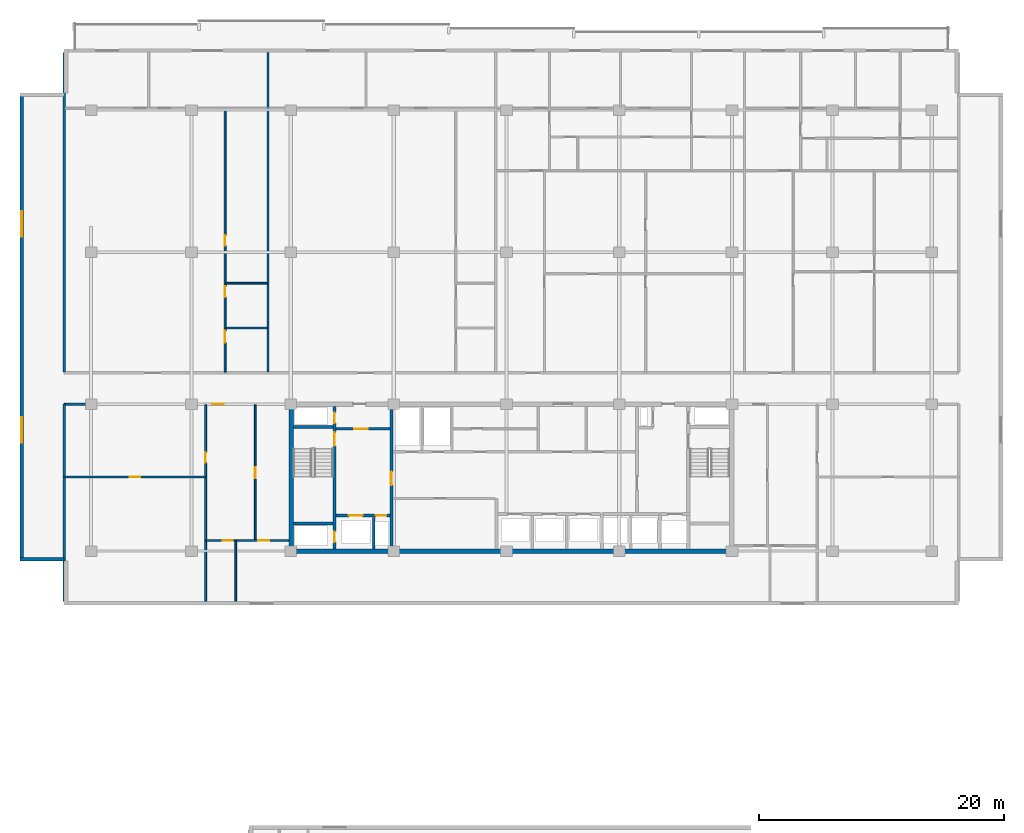
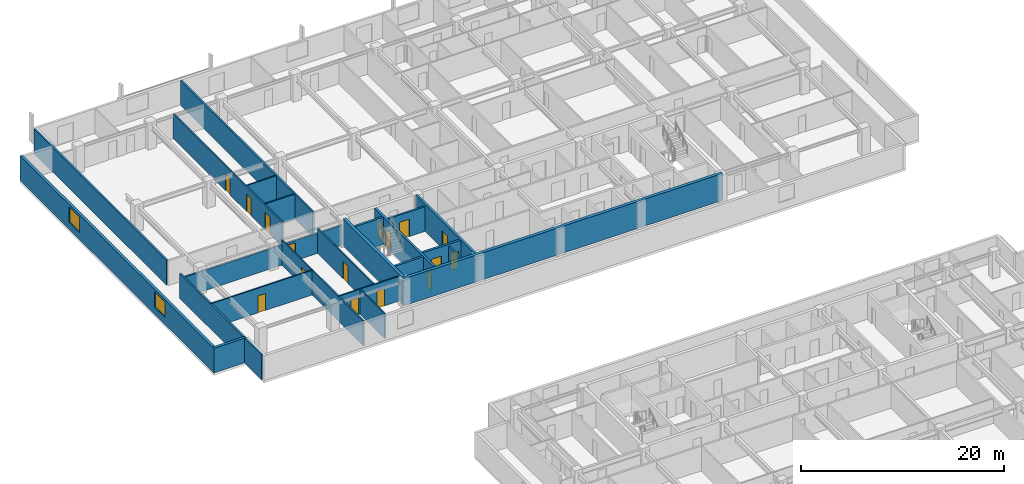
# One storey, part 11 of 22: 23 walls, 16 doors, 2 windows, 18 openings.
"""IFC4 building model written with IfcOpenShell, lengths in metres."""

from ifc_helpers import new_model, si_unit, direction, frame, frame_2d, origin, place, context, subcontext, project, spatial, rectangle, extrude, material, layer, layer_set, type_object, element, fill, save


model = new_model("IFC4")

# Units and contexts
model_context = context("Model", 3, precision=1e-05, world=origin(), true_north=direction((0.0, 1.0)))
body_context = subcontext(model_context, "Body", "Model", "MODEL_VIEW")
ifc_project = project(units=[si_unit("LENGTHUNIT", "METRE"), si_unit("AREAUNIT", "SQUARE_METRE"), si_unit("VOLUMEUNIT", "CUBIC_METRE"), si_unit("PLANEANGLEUNIT", "RADIAN"), si_unit("MASSUNIT", "GRAM", prefix="KILO")], contexts=[model_context])

# Site, building, storey
site_placement = place(None, origin())
site = spatial("IfcSite", under=ifc_project, at=site_placement, CompositionType="ELEMENT")
building_placement = place(site_placement, origin())
building = spatial("IfcBuilding", under=site, at=building_placement, Name="Korimba Cascade Residences", CompositionType="ELEMENT")
storey_placement = place(building_placement, frame((0.0, 0.0, 132.800048828125)))
storey = spatial("IfcBuildingStorey", under=building, at=storey_placement, Name="L38", CompositionType="ELEMENT", Elevation=132.800048828125)

# Wall, openings, windows
ifc_material_1 = material(Name="Precast concrete C40/50", Category="concrete")
ifc_layer_1 = layer(ifc_material_1, 0.300048828125)
ifc_layer_set_1 = layer_set([ifc_layer_1], Name="Precast concrete C40/50")
wall_type_1 = type_object("IfcWallType", Name="EW-STONE-300", PredefinedType="STANDARD", material=ifc_layer_set_1)
wall_1_placement = place(storey_placement, frame((54.14990234375, 92.60009765625, 0.0), z_axis=(0.0, 0.0, 1.0), x_axis=(0.0, -1.0, 0.0)))
wall_1 = element("IfcWall", 1, at=wall_1_placement, inside=storey, type_object=wall_type_1, Name="L38 T1 Perimeter Stone Wall E09", PredefinedType="STANDARD", context=body_context, shape_type="SweptSolid", body=[
    extrude(rectangle(XDim=38.2001953125, YDim=0.300048828125, at=frame_2d((19.10009765625, 0.0))), origin(), (0.0, 0.0, 1.0), 2.969970703125),
])
opening_1_placement = place(wall_1_placement, frame((9.64599609375, 0.0, 0.85009765625)))
opening_1 = element("IfcOpeningElement", 2, at=opening_1_placement, cuts=wall_1, Name="Opening W-03", PredefinedType="OPENING", context=body_context, shape_type="SweptSolid", body=[
    extrude(rectangle(XDim=2.10009765625, YDim=1.85009765625, at=frame_2d((1.050048828125, 0.925048828125))), frame((0.0, 0.16015625, 0.0), z_axis=(0.0, -1.0, 0.0), x_axis=(1.0, 0.0, 0.0)), (0.0, 0.0, 1.0), 0.320068359375),
])
opening_2_placement = place(wall_1_placement, frame((26.4541015625, 0.0, 0.85009765625)))
opening_2 = element("IfcOpeningElement", 3, at=opening_2_placement, cuts=wall_1, Name="Opening W-03", PredefinedType="OPENING", context=body_context, shape_type="SweptSolid", body=[
    extrude(rectangle(XDim=2.10009765625, YDim=1.85009765625, at=frame_2d((1.050048828125, 0.925048828125))), frame((0.0, 0.16015625, 0.0), z_axis=(0.0, -1.0, 0.0), x_axis=(1.0, 0.0, 0.0)), (0.0, 0.0, 1.0), 0.320068359375),
])
ifc_material_2 = material(Name="Double-Glazed Aluminium Window", Category="aluminium")
window_type = type_object("IfcWindowType", Name="WIN-CRN-2100", PartitioningType="DOUBLE_PANEL_HORIZONTAL", PredefinedType="WINDOW", material=ifc_material_2)
window_1_placement = place(opening_1_placement, origin())
window_1 = element("IfcWindow", 4, at=window_1_placement, inside=storey, type_object=window_type, Name="L38 T1 End View Window 9.1", OverallHeight=1.85009765625, OverallWidth=2.10009765625, PartitioningType="DOUBLE_PANEL_HORIZONTAL", PredefinedType="WINDOW", context=body_context, shape_type="SweptSolid", body=[
    extrude(rectangle(XDim=2.10009765625, YDim=1.85009765625, at=frame_2d((1.050048828125, 0.925048828125))), frame((0.0, 0.030029296875, 0.0), z_axis=(0.0, -1.0, 0.0), x_axis=(1.0, 0.0, 0.0)), (0.0, 0.0, 1.0), 0.06005859375),
])
fill(opening_1, window_1)
window_2_placement = place(opening_2_placement, origin())
window_2 = element("IfcWindow", 5, at=window_2_placement, inside=storey, type_object=window_type, Name="L38 T1 End View Window 9.2", OverallHeight=1.85009765625, OverallWidth=2.10009765625, PartitioningType="DOUBLE_PANEL_HORIZONTAL", PredefinedType="WINDOW", context=body_context, shape_type="SweptSolid", body=[
    extrude(rectangle(XDim=2.10009765625, YDim=1.85009765625, at=frame_2d((1.050048828125, 0.925048828125))), frame((0.0, 0.030029296875, 0.0), z_axis=(0.0, -1.0, 0.0), x_axis=(1.0, 0.0, 0.0)), (0.0, 0.0, 1.0), 0.06005859375),
])
fill(opening_2, window_2)

# Walls
wall_2_placement = place(storey_placement, frame((54.0, 54.550048828125, 0.0), z_axis=(0.0, 0.0, 1.0), x_axis=(1.0, 0.0, 0.0)))
element("IfcWall", 6, at=wall_2_placement, inside=storey, type_object=wall_type_1, Name="L38 T1 Perimeter Stone Wall E10", PredefinedType="STANDARD", context=body_context, shape_type="SweptSolid", body=[
    extrude(rectangle(XDim=3.60009765625, YDim=0.300048828125, at=frame_2d((1.800048828125, 0.0))), origin(), (0.0, 0.0, 1.0), 2.969970703125),
])
ifc_material_3 = material(Name="Concrete C65/80", Category="concrete")
ifc_layer_2 = layer(ifc_material_3, 0.35009765625)
ifc_layer_set_2 = layer_set([ifc_layer_2], Name="Concrete C65/80")
wall_type_2 = type_object("IfcWallType", Name="WAL-CORE-350", PredefinedType="SHEAR", material=ifc_layer_set_2)
wall_3_placement = place(storey_placement, frame((75.949951171875, 55.199951171875, 0.0), z_axis=(0.0, 0.0, 1.0), x_axis=(1.0, 0.0, 0.0)))
element("IfcWall", 7, at=wall_3_placement, inside=storey, type_object=wall_type_2, Name="L38 Core Shear Wall CW-L38-T1-S", PredefinedType="SHEAR", context=body_context, shape_type="SweptSolid", body=[
    extrude(rectangle(XDim=36.300048828125, YDim=0.35009765625, at=frame_2d((18.14990234375, 0.0))), origin(), (0.0, 0.0, 1.0), 3.25),
])
wall_4_placement = place(storey_placement, frame((76.125, 55.375, 0.0), z_axis=(0.0, 0.0, 1.0), x_axis=(0.0, 1.0, 0.0)))
element("IfcWall", 8, at=wall_4_placement, inside=storey, type_object=wall_type_2, Name="L38 Core Shear Wall CW-L38-T1-W", PredefinedType="SHEAR", context=body_context, shape_type="SweptSolid", body=[
    extrude(rectangle(XDim=11.64990234375, YDim=0.35009765625, at=frame_2d((5.824951171875, 0.0))), origin(), (0.0, 0.0, 1.0), 3.25),
])
ifc_layer_3 = layer(ifc_material_1, 0.199951171875)
ifc_layer_set_3 = layer_set([ifc_layer_3], Name="Precast concrete C40/50")
wall_type_3 = type_object("IfcWallType", Name="WAL-IT-200", PredefinedType="PARTITIONING", material=ifc_layer_set_3)
wall_5_placement = place(storey_placement, frame((57.60009765625, 51.10009765625, 0.0), z_axis=(0.0, 0.0, 1.0), x_axis=(0.0, 1.0, 0.0)))
element("IfcWall", 9, at=wall_5_placement, inside=storey, type_object=wall_type_3, Name="L38 Partition Wall WAL-L38-T1-FW-WL", PredefinedType="PARTITIONING", context=body_context, shape_type="SweptSolid", body=[
    extrude(rectangle(XDim=16.099853515625, YDim=0.199951171875, at=frame_2d((8.0498046875, 0.0))), origin(), (0.0, 0.0, 1.0), 2.969970703125),
])

# Wall, opening, door
wall_6_placement = place(storey_placement, frame((57.60009765625, 67.199951171875, 0.0), z_axis=(0.0, 0.0, 1.0), x_axis=(1.0, 0.0, 0.0)))
wall_6 = element("IfcWall", 10, at=wall_6_placement, inside=storey, type_object=wall_type_3, Name="L38 Partition Wall WAL-L38-T1-FW-N", PredefinedType="PARTITIONING", context=body_context, shape_type="SweptSolid", body=[
    extrude(rectangle(XDim=18.349853515625, YDim=0.199951171875, at=frame_2d((9.1748046875, 0.0))), origin(), (0.0, 0.0, 1.0), 2.433349609375),
])
opening_3_placement = place(wall_6_placement, frame((12.07470703125, 0.0, 0.0)))
opening_3 = element("IfcOpeningElement", 11, at=opening_3_placement, cuts=wall_6, Name="Opening D-UN1", PredefinedType="OPENING", context=body_context, shape_type="SweptSolid", body=[
    extrude(rectangle(XDim=0.949951171875, YDim=2.14990234375, at=frame_2d((0.47509765625, 1.074951171875))), frame((0.0, 0.10986328125, 0.0), z_axis=(0.0, -1.0, 0.0), x_axis=(1.0, 0.0, 0.0)), (0.0, 0.0, 1.0), 0.219970703125),
])
ifc_material_4 = material(Name="Fire-Rated Hardwood Apartment Entrance Door", Category="wood")
door_type_1 = type_object("IfcDoorType", Name="DR-FD60-950", OperationType="NOTDEFINED", PredefinedType="DOOR", material=ifc_material_4)
door_1_placement = place(opening_3_placement, origin())
door_1 = element("IfcDoor", 12, at=door_1_placement, inside=storey, type_object=door_type_1, Name="L38-T1-FW Entrance Door", OperationType="SINGLE_SWING_LEFT", OverallHeight=2.14990234375, OverallWidth=0.949951171875, PredefinedType="DOOR", context=body_context, shape_type="SweptSolid", body=[
    extrude(rectangle(XDim=0.949951171875, YDim=2.14990234375, at=frame_2d((0.47509765625, 1.074951171875))), frame((0.0, 0.02490234375, 0.0), z_axis=(0.0, -1.0, 0.0), x_axis=(1.0, 0.0, 0.0)), (0.0, 0.0, 1.0), 0.050048828125),
])
fill(opening_3, door_1)

# Walls
for number, where, z_axis, x_axis, name in (
    (13, (57.60009765625, 69.830078125, 0.0), (0.0, 0.0, 1.0), (0.0, 1.0, 0.0), "L38 Partition Wall WAL-L38-T1-BNDWL"),
    (14, (74.237548828125, 69.830078125, 0.0), (0.0, 0.0, 1.0), (0.0, 1.0, 0.0), "L38 Partition Wall WAL-L38-T1-DEM-1"),
):
    element("IfcWall", number, at=place(storey_placement, frame(where, z_axis=z_axis, x_axis=x_axis)), inside=storey, type_object=wall_type_3, Name=name, PredefinedType="PARTITIONING", context=body_context, shape_type="SweptSolid", body=[
        extrude(rectangle(XDim=26.06982421875, YDim=0.199951171875, at=frame_2d((13.034912109375, 0.0))), origin(), (0.0, 0.0, 1.0), 2.969970703125),
    ])

# Wall, opening, door
ifc_material_5 = material(Name="Insulated Acoustic Stud Partition", Category="gypsum")
ifc_layer_4 = layer(ifc_material_5, 0.14990234375)
ifc_layer_set_4 = layer_set([ifc_layer_4], Name="Insulated Acoustic Stud Partition")
wall_type_4 = type_object("IfcWallType", Name="WAL-PART-150", PredefinedType="PARTITIONING", material=ifc_layer_set_4)
wall_7_placement = place(storey_placement, frame((57.60009765625, 61.25, 0.0), z_axis=(0.0, 0.0, 1.0), x_axis=(1.0, 0.0, 0.0)))
wall_7 = element("IfcWall", 15, at=wall_7_placement, inside=storey, type_object=wall_type_4, Name="L38 Partition Wall WAL-L38-T1-FW-STH", PredefinedType="PARTITIONING", context=body_context, shape_type="SweptSolid", body=[
    extrude(rectangle(XDim=11.5498046875, YDim=0.14990234375, at=frame_2d((5.77490234375, 0.0))), origin(), (0.0, 0.0, 1.0), 2.969970703125),
])
opening_4_placement = place(wall_7_placement, frame((5.35498046875, 0.0, 0.0)))
opening_4 = element("IfcOpeningElement", 16, at=opening_4_placement, cuts=wall_7, Name="Opening D-BT1", PredefinedType="OPENING", context=body_context, shape_type="SweptSolid", body=[
    extrude(rectangle(XDim=0.840087890625, YDim=2.0400390625, at=frame_2d((0.419921875, 1.02001953125))), frame((0.0, 0.0849609375, 0.0), z_axis=(0.0, -1.0, 0.0), x_axis=(1.0, 0.0, 0.0)), (0.0, 0.0, 1.0), 0.169921875),
])
ifc_material_6 = material(Name="Moisture-Resistant Bathroom Timber Door", Category="wood")
door_type_2 = type_object("IfcDoorType", Name="DR-INT-850", OperationType="NOTDEFINED", PredefinedType="DOOR", material=ifc_material_6)
door_2_placement = place(opening_4_placement, origin())
door_2 = element("IfcDoor", 17, at=door_2_placement, inside=storey, type_object=door_type_2, Name="L38-T1-FW Dressing Store Door", OperationType="SINGLE_SWING_RIGHT", OverallHeight=2.0400390625, OverallWidth=0.840087890625, PredefinedType="DOOR", context=body_context, shape_type="SweptSolid", body=[
    extrude(rectangle(XDim=0.840087890625, YDim=2.0400390625, at=frame_2d((0.419921875, 1.02001953125))), frame((0.0, 0.02490234375, 0.0), z_axis=(0.0, -1.0, 0.0), x_axis=(1.0, 0.0, 0.0)), (0.0, 0.0, 1.0), 0.050048828125),
])
fill(opening_4, door_2)

wall_8_placement = place(storey_placement, frame((69.14990234375, 51.10009765625, 0.0), z_axis=(0.0, 0.0, 1.0), x_axis=(0.0, 1.0, 0.0)))
wall_8 = element("IfcWall", 18, at=wall_8_placement, inside=storey, type_object=wall_type_4, Name="L38 Partition Wall WAL-L38-T1-FW-STV", PredefinedType="PARTITIONING", context=body_context, shape_type="SweptSolid", body=[
    extrude(rectangle(XDim=16.0498046875, YDim=0.14990234375, at=frame_2d((8.02490234375, 0.0))), origin(), (0.0, 0.0, 1.0), 2.969970703125),
])
opening_5_placement = place(wall_8_placement, frame((11.300048828125, 0.0, 0.0)))
opening_5 = element("IfcOpeningElement", 19, at=opening_5_placement, cuts=wall_8, Name="Opening D-IN2", PredefinedType="OPENING", context=body_context, shape_type="SweptSolid", body=[
    extrude(rectangle(XDim=0.8798828125, YDim=2.06005859375, at=frame_2d((0.43994140625, 1.030029296875))), frame((0.0, 0.0849609375, 0.0), z_axis=(0.0, -1.0, 0.0), x_axis=(1.0, 0.0, 0.0)), (0.0, 0.0, 1.0), 0.169921875),
])
ifc_material_7 = material(Name="Acoustic Timber Bedroom Door", Category="wood")
door_type_3 = type_object("IfcDoorType", Name="DR-INT-880", OperationType="NOTDEFINED", PredefinedType="DOOR", material=ifc_material_7)
door_3_placement = place(opening_5_placement, origin())
door_3 = element("IfcDoor", 20, at=door_3_placement, inside=storey, type_object=door_type_3, Name="L38-T1-FW Study Door", OperationType="SINGLE_SWING_LEFT", OverallHeight=2.06005859375, OverallWidth=0.8798828125, PredefinedType="DOOR", context=body_context, shape_type="SweptSolid", body=[
    extrude(rectangle(XDim=0.8798828125, YDim=2.06005859375, at=frame_2d((0.43994140625, 1.030029296875))), frame((0.0, 0.02490234375, 0.0), z_axis=(0.0, -1.0, 0.0), x_axis=(1.0, 0.0, 0.0)), (0.0, 0.0, 1.0), 0.050048828125),
])
fill(opening_5, door_3)

wall_9_placement = place(storey_placement, frame((73.199951171875, 56.070068359375, 0.0), z_axis=(0.0, 0.0, 1.0), x_axis=(0.0, 1.0, 0.0)))
wall_9 = element("IfcWall", 21, at=wall_9_placement, inside=storey, type_object=wall_type_4, Name="L38 Partition Wall WAL-L38-T1-FW-VN", PredefinedType="PARTITIONING", context=body_context, shape_type="SweptSolid", body=[
    extrude(rectangle(XDim=11.079833984375, YDim=0.14990234375, at=frame_2d((5.5400390625, 0.0))), origin(), (0.0, 0.0, 1.0), 2.969970703125),
])
opening_6_placement = place(wall_9_placement, frame((5.080078125, 0.0, 0.0)))
opening_6 = element("IfcOpeningElement", 22, at=opening_6_placement, cuts=wall_9, Name="Opening D-IN1", PredefinedType="OPENING", context=body_context, shape_type="SweptSolid", body=[
    extrude(rectangle(XDim=0.919921875, YDim=2.080078125, at=frame_2d((0.4599609375, 1.0400390625))), frame((0.0, 0.0849609375, 0.0), z_axis=(0.0, -1.0, 0.0), x_axis=(1.0, 0.0, 0.0)), (0.0, 0.0, 1.0), 0.169921875),
])
ifc_material_8 = material(Name="Acoustic Timber Living Door", Category="wood")
door_type_4 = type_object("IfcDoorType", Name="DR-INT-920", OperationType="NOTDEFINED", PredefinedType="DOOR", material=ifc_material_8)
door_4_placement = place(opening_6_placement, origin())
door_4 = element("IfcDoor", 23, at=door_4_placement, inside=storey, type_object=door_type_4, Name="L38-T1-FW Living Door", OperationType="SINGLE_SWING_RIGHT", OverallHeight=2.080078125, OverallWidth=0.919921875, PredefinedType="DOOR", context=body_context, shape_type="SweptSolid", body=[
    extrude(rectangle(XDim=0.919921875, YDim=2.080078125, at=frame_2d((0.4599609375, 1.0400390625))), frame((0.0, 0.02490234375, 0.0), z_axis=(0.0, -1.0, 0.0), x_axis=(1.0, 0.0, 0.0)), (0.0, 0.0, 1.0), 0.050048828125),
])
fill(opening_6, door_4)

# Wall
wall_10_placement = place(storey_placement, frame((71.60009765625, 51.10009765625, 0.0), z_axis=(0.0, 0.0, 1.0), x_axis=(0.0, 1.0, 0.0)))
element("IfcWall", 24, at=wall_10_placement, inside=storey, type_object=wall_type_4, Name="L38 Partition Wall WAL-L38-T1-FW-VS", PredefinedType="PARTITIONING", context=body_context, shape_type="SweptSolid", body=[
    extrude(rectangle(XDim=4.969970703125, YDim=0.14990234375, at=frame_2d((2.48486328125, 0.0))), origin(), (0.0, 0.0, 1.0), 2.969970703125),
])

# Wall, openings, doors
wall_11_placement = place(storey_placement, frame((69.169921875, 56.070068359375, 0.0), z_axis=(0.0, 0.0, 1.0), x_axis=(1.0, 0.0, 0.0)))
wall_11 = element("IfcWall", 25, at=wall_11_placement, inside=storey, type_object=wall_type_4, Name="L38 Partition Wall WAL-L38-T1-FW-H", PredefinedType="PARTITIONING", context=body_context, shape_type="SweptSolid", body=[
    extrude(rectangle(XDim=6.760009765625, YDim=0.14990234375, at=frame_2d((3.3798828125, 0.0))), origin(), (0.0, 0.0, 1.0), 2.969970703125),
])
opening_7_placement = place(wall_11_placement, frame((1.3623046875, 0.0, 0.0)))
opening_7 = element("IfcOpeningElement", 26, at=opening_7_placement, cuts=wall_11, Name="Opening D-BT1", PredefinedType="OPENING", context=body_context, shape_type="SweptSolid", body=[
    extrude(rectangle(XDim=0.840087890625, YDim=2.0400390625, at=frame_2d((0.419921875, 1.02001953125))), frame((0.0, 0.0849609375, 0.0), z_axis=(0.0, -1.0, 0.0), x_axis=(1.0, 0.0, 0.0)), (0.0, 0.0, 1.0), 0.169921875),
])
opening_8_placement = place(wall_11_placement, frame((4.276611328125, 0.0, 0.0)))
opening_8 = element("IfcOpeningElement", 27, at=opening_8_placement, cuts=wall_11, Name="Opening D-IN2", PredefinedType="OPENING", context=body_context, shape_type="SweptSolid", body=[
    extrude(rectangle(XDim=0.8798828125, YDim=2.06005859375, at=frame_2d((0.43994140625, 1.030029296875))), frame((0.0, 0.0849609375, 0.0), z_axis=(0.0, -1.0, 0.0), x_axis=(1.0, 0.0, 0.0)), (0.0, 0.0, 1.0), 0.169921875),
])
door_5_placement = place(opening_7_placement, origin())
door_5 = element("IfcDoor", 28, at=door_5_placement, inside=storey, type_object=door_type_2, Name="L38-T1-FW Bathroom Door", OperationType="SINGLE_SWING_LEFT", OverallHeight=2.0400390625, OverallWidth=0.840087890625, PredefinedType="DOOR", context=body_context, shape_type="SweptSolid", body=[
    extrude(rectangle(XDim=0.840087890625, YDim=2.0400390625, at=frame_2d((0.419921875, 1.02001953125))), frame((0.0, 0.02490234375, 0.0), z_axis=(0.0, -1.0, 0.0), x_axis=(1.0, 0.0, 0.0)), (0.0, 0.0, 1.0), 0.050048828125),
])
fill(opening_7, door_5)
door_6_placement = place(opening_8_placement, origin())
door_6 = element("IfcDoor", 29, at=door_6_placement, inside=storey, type_object=door_type_3, Name="L38-T1-FW Bedroom Door", OperationType="SINGLE_SWING_RIGHT", OverallHeight=2.06005859375, OverallWidth=0.8798828125, PredefinedType="DOOR", context=body_context, shape_type="SweptSolid", body=[
    extrude(rectangle(XDim=0.8798828125, YDim=2.06005859375, at=frame_2d((0.43994140625, 1.030029296875))), frame((0.0, 0.02490234375, 0.0), z_axis=(0.0, -1.0, 0.0), x_axis=(1.0, 0.0, 0.0)), (0.0, 0.0, 1.0), 0.050048828125),
])
fill(opening_8, door_6)

# Walls
for number, where, z_axis, x_axis, name in (
    (30, (70.797607421875, 73.419921875, 0.0), (0.0, 0.0, 1.0), (1.0, 0.0, 0.0), "L38 Partition Wall WAL-L38-T1-U01-WCH"),
    (31, (70.797607421875, 77.070068359375, 0.0), (0.0, 0.0, 1.0), (1.0, 0.0, 0.0), "L38 Partition Wall WAL-L38-T1-U01-WCH2"),
):
    element("IfcWall", number, at=place(storey_placement, frame(where, z_axis=z_axis, x_axis=x_axis)), inside=storey, type_object=wall_type_4, Name=name, PredefinedType="PARTITIONING", context=body_context, shape_type="SweptSolid", body=[
        extrude(rectangle(XDim=3.35986328125, YDim=0.14990234375, at=frame_2d((1.679931640625, 0.0))), origin(), (0.0, 0.0, 1.0), 2.969970703125),
    ])

# Wall, openings, doors
wall_12_placement = place(storey_placement, frame((70.737548828125, 69.81005859375, 0.0), z_axis=(0.0, 0.0, 1.0), x_axis=(0.0, 1.0, 0.0)))
wall_12 = element("IfcWall", 32, at=wall_12_placement, inside=storey, type_object=wall_type_4, Name="L38 Partition Wall WAL-L38-T1-U01-WCV", PredefinedType="PARTITIONING", context=body_context, shape_type="SweptSolid", body=[
    extrude(rectangle(XDim=21.47998046875, YDim=0.14990234375, at=frame_2d((10.739990234375, 0.0))), origin(), (0.0, 0.0, 1.0), 2.969970703125),
])
opening_9_placement = place(wall_12_placement, frame((2.406005859375, 0.0, 0.0)))
opening_9 = element("IfcOpeningElement", 33, at=opening_9_placement, cuts=wall_12, Name="Opening D-AC1", PredefinedType="OPENING", context=body_context, shape_type="SweptSolid", body=[
    extrude(rectangle(XDim=0.9599609375, YDim=2.10009765625, at=frame_2d((0.47998046875, 1.050048828125))), frame((0.0, 0.0849609375, 0.0), z_axis=(0.0, -1.0, 0.0), x_axis=(1.0, 0.0, 0.0)), (0.0, 0.0, 1.0), 0.169921875),
])
opening_10_placement = place(wall_12_placement, frame((6.132568359375, 0.0, 0.0)))
opening_10 = element("IfcOpeningElement", 34, at=opening_10_placement, cuts=wall_12, Name="Opening D-IN2", PredefinedType="OPENING", context=body_context, shape_type="SweptSolid", body=[
    extrude(rectangle(XDim=0.8798828125, YDim=2.06005859375, at=frame_2d((0.43994140625, 1.030029296875))), frame((0.0, 0.0849609375, 0.0), z_axis=(0.0, -1.0, 0.0), x_axis=(1.0, 0.0, 0.0)), (0.0, 0.0, 1.0), 0.169921875),
])
opening_11_placement = place(wall_12_placement, frame((10.320068359375, 0.0, 0.0)))
opening_11 = element("IfcOpeningElement", 35, at=opening_11_placement, cuts=wall_12, Name="Opening D-BT1", PredefinedType="OPENING", context=body_context, shape_type="SweptSolid", body=[
    extrude(rectangle(XDim=0.840087890625, YDim=2.0400390625, at=frame_2d((0.419921875, 1.02001953125))), frame((0.0, 0.0849609375, 0.0), z_axis=(0.0, -1.0, 0.0), x_axis=(1.0, 0.0, 0.0)), (0.0, 0.0, 1.0), 0.169921875),
])
ifc_material_9 = material(Name="Accessible Acoustic Timber WC Door", Category="wood")
door_type_5 = type_object("IfcDoorType", Name="DR-ACC-950", OperationType="NOTDEFINED", PredefinedType="DOOR", material=ifc_material_9)
door_7_placement = place(opening_9_placement, origin())
door_7 = element("IfcDoor", 36, at=door_7_placement, inside=storey, type_object=door_type_5, Name="L38-T1-U01 Accessible WC Door", OperationType="SINGLE_SWING_RIGHT", OverallHeight=2.10009765625, OverallWidth=0.9599609375, PredefinedType="DOOR", context=body_context, shape_type="SweptSolid", body=[
    extrude(rectangle(XDim=0.9599609375, YDim=2.10009765625, at=frame_2d((0.47998046875, 1.050048828125))), frame((0.0, 0.02490234375, 0.0), z_axis=(0.0, -1.0, 0.0), x_axis=(1.0, 0.0, 0.0)), (0.0, 0.0, 1.0), 0.050048828125),
])
fill(opening_9, door_7)
door_8_placement = place(opening_11_placement, origin())
door_8 = element("IfcDoor", 37, at=door_8_placement, inside=storey, type_object=door_type_2, Name="L38-T1-U01 Suite Store Door", OperationType="SINGLE_SWING_RIGHT", OverallHeight=2.0400390625, OverallWidth=0.840087890625, PredefinedType="DOOR", context=body_context, shape_type="SweptSolid", body=[
    extrude(rectangle(XDim=0.840087890625, YDim=2.0400390625, at=frame_2d((0.419921875, 1.02001953125))), frame((0.0, 0.02490234375, 0.0), z_axis=(0.0, -1.0, 0.0), x_axis=(1.0, 0.0, 0.0)), (0.0, 0.0, 1.0), 0.050048828125),
])
fill(opening_11, door_8)
door_9_placement = place(opening_10_placement, origin())
door_9 = element("IfcDoor", 38, at=door_9_placement, inside=storey, type_object=door_type_3, Name="L38-T1-U01 Restroom WC Door", OperationType="SINGLE_SWING_LEFT", OverallHeight=2.06005859375, OverallWidth=0.8798828125, PredefinedType="DOOR", context=body_context, shape_type="SweptSolid", body=[
    extrude(rectangle(XDim=0.8798828125, YDim=2.06005859375, at=frame_2d((0.43994140625, 1.030029296875))), frame((0.0, 0.02490234375, 0.0), z_axis=(0.0, -1.0, 0.0), x_axis=(1.0, 0.0, 0.0)), (0.0, 0.0, 1.0), 0.050048828125),
])
fill(opening_10, door_9)

# Wall
ifc_material_10 = material(Name="Concrete C40/50", Category="concrete")
ifc_layer_5 = layer(ifc_material_10, 0.199951171875)
ifc_layer_set_5 = layer_set([ifc_layer_5], Name="Concrete C40/50")
wall_type_5 = type_object("IfcWallType", Name="WAL-PART-200", PredefinedType="PARTITIONING", material=ifc_layer_set_5)
wall_13_placement = place(storey_placement, frame((82.85009765625, 55.39990234375, 0.0), z_axis=(0.0, 0.0, 1.0), x_axis=(0.0, 1.0, 0.0)))
element("IfcWall", 39, at=wall_13_placement, inside=storey, type_object=wall_type_5, Name="L38 Partition Wall CW-L38-T1-FFLDIV", PredefinedType="PARTITIONING", context=body_context, shape_type="SweptSolid", body=[
    extrude(rectangle(XDim=2.56005859375, YDim=0.199951171875, at=frame_2d((1.280029296875, 0.0))), origin(), (0.0, 0.0, 1.0), 2.969970703125),
])

# Wall, opening, door
wall_14_placement = place(storey_placement, frame((79.7900390625, 65.179931640625, 0.0), z_axis=(0.0, 0.0, 1.0), x_axis=(1.0, 0.0, 0.0)))
wall_14 = element("IfcWall", 40, at=wall_14_placement, inside=storey, type_object=wall_type_5, Name="L38 Partition Wall CW-L38-T1-FFLN", PredefinedType="PARTITIONING", context=body_context, shape_type="SweptSolid", body=[
    extrude(rectangle(XDim=4.389892578125, YDim=0.199951171875, at=frame_2d((2.19482421875, 0.0))), origin(), (0.0, 0.0, 1.0), 2.969970703125),
])
opening_12_placement = place(wall_14_placement, frame((1.5, 0.0, 0.0)))
opening_12 = element("IfcOpeningElement", 41, at=opening_12_placement, cuts=wall_14, Name="Opening D-FD1", PredefinedType="OPENING", context=body_context, shape_type="SweptSolid", body=[
    extrude(rectangle(XDim=1.10009765625, YDim=2.10009765625, at=frame_2d((0.550048828125, 1.050048828125))), frame((0.0, 0.10986328125, 0.0), z_axis=(0.0, -1.0, 0.0), x_axis=(1.0, 0.0, 0.0)), (0.0, 0.0, 1.0), 0.219970703125),
])
ifc_material_11 = material(Name="Fire-Rated Steel Core Door", Category="steel")
door_type_6 = type_object("IfcDoorType", Name="DR-FD120-1100", OperationType="NOTDEFINED", PredefinedType="DOOR", material=ifc_material_11)
door_10_placement = place(opening_12_placement, origin())
door_10 = element("IfcDoor", 42, at=door_10_placement, inside=storey, type_object=door_type_6, Name="L38 West Firefighting Lobby Door", OperationType="SINGLE_SWING_RIGHT", OverallHeight=2.10009765625, OverallWidth=1.10009765625, PredefinedType="DOOR", context=body_context, shape_type="SweptSolid", body=[
    extrude(rectangle(XDim=1.10009765625, YDim=2.10009765625, at=frame_2d((0.550048828125, 1.050048828125))), frame((0.0, 0.02490234375, 0.0), z_axis=(0.0, -1.0, 0.0), x_axis=(1.0, 0.0, 0.0)), (0.0, 0.0, 1.0), 0.050048828125),
])
fill(opening_12, door_10)

# Wall, openings, doors
ifc_material_12 = material(Name="Concrete C50/60", Category="concrete")
ifc_layer_6 = layer(ifc_material_12, 0.25)
ifc_layer_set_6 = layer_set([ifc_layer_6], Name="Concrete C50/60")
wall_type_6 = type_object("IfcWallType", Name="WAL-SHAFT-250", PredefinedType="SHEAR", material=ifc_layer_set_6)
wall_15_placement = place(storey_placement, frame((79.6650390625, 55.39990234375, 0.0), z_axis=(0.0, 0.0, 1.0), x_axis=(0.0, 1.0, 0.0)))
wall_15 = element("IfcWall", 43, at=wall_15_placement, inside=storey, type_object=wall_type_6, Name="L38 Core Shear Wall CW-L38-T1-STW1E", PredefinedType="SHEAR", context=body_context, shape_type="SweptSolid", body=[
    extrude(rectangle(XDim=11.60009765625, YDim=0.25, at=frame_2d((5.800048828125, 0.0))), origin(), (0.0, 0.0, 1.0), 3.25),
])
opening_13_placement = place(wall_15_placement, frame((0.550048828125, 0.0, 0.0)))
opening_13 = element("IfcOpeningElement", 44, at=opening_13_placement, cuts=wall_15, Name="Opening D-RS1", PredefinedType="OPENING", context=body_context, shape_type="SweptSolid", body=[
    extrude(rectangle(XDim=0.85009765625, YDim=2.050048828125, at=frame_2d((0.425048828125, 1.02490234375))), frame((0.0, 0.135009765625, 0.0), z_axis=(0.0, -1.0, 0.0), x_axis=(1.0, 0.0, 0.0)), (0.0, 0.0, 1.0), 0.27001953125),
])
opening_14_placement = place(wall_15_placement, frame((8.39990234375, 0.0, 0.0)))
opening_14 = element("IfcOpeningElement", 45, at=opening_14_placement, cuts=wall_15, Name="Opening D-FD1", PredefinedType="OPENING", context=body_context, shape_type="SweptSolid", body=[
    extrude(rectangle(XDim=1.10009765625, YDim=2.10009765625, at=frame_2d((0.550048828125, 1.050048828125))), frame((0.0, 0.135009765625, 0.0), z_axis=(0.0, -1.0, 0.0), x_axis=(1.0, 0.0, 0.0)), (0.0, 0.0, 1.0), 0.27001953125),
])
opening_15_placement = place(wall_15_placement, frame((10.25, 0.0, 0.0)))
opening_15 = element("IfcOpeningElement", 46, at=opening_15_placement, cuts=wall_15, Name="Opening D-RS1", PredefinedType="OPENING", context=body_context, shape_type="SweptSolid", body=[
    extrude(rectangle(XDim=0.85009765625, YDim=2.050048828125, at=frame_2d((0.425048828125, 1.02490234375))), frame((0.0, 0.135009765625, 0.0), z_axis=(0.0, -1.0, 0.0), x_axis=(1.0, 0.0, 0.0)), (0.0, 0.0, 1.0), 0.27001953125),
])
door_11_placement = place(opening_14_placement, origin())
door_11 = element("IfcDoor", 47, at=door_11_placement, inside=storey, type_object=door_type_6, Name="L38 Fire Stair ST-W1 Door", OperationType="SINGLE_SWING_LEFT", OverallHeight=2.10009765625, OverallWidth=1.10009765625, PredefinedType="DOOR", context=body_context, shape_type="SweptSolid", body=[
    extrude(rectangle(XDim=1.10009765625, YDim=2.10009765625, at=frame_2d((0.550048828125, 1.050048828125))), frame((0.0, 0.02490234375, 0.0), z_axis=(0.0, -1.0, 0.0), x_axis=(1.0, 0.0, 0.0)), (0.0, 0.0, 1.0), 0.050048828125),
])
fill(opening_14, door_11)
ifc_material_13 = material(Name="Fire-Rated Steel Riser Access Door", Category="steel")
door_type_7 = type_object("IfcDoorType", Name="DR-FD60-850", OperationType="NOTDEFINED", PredefinedType="DOOR", material=ifc_material_13)
door_12_placement = place(opening_13_placement, origin())
door_12 = element("IfcDoor", 48, at=door_12_placement, inside=storey, type_object=door_type_7, Name="L38 Smoke Riser Access Door", OperationType="SINGLE_SWING_RIGHT", OverallHeight=2.050048828125, OverallWidth=0.85009765625, PredefinedType="DOOR", context=body_context, shape_type="SweptSolid", body=[
    extrude(rectangle(XDim=0.85009765625, YDim=2.050048828125, at=frame_2d((0.425048828125, 1.02490234375))), frame((0.0, 0.02490234375, 0.0), z_axis=(0.0, -1.0, 0.0), x_axis=(1.0, 0.0, 0.0)), (0.0, 0.0, 1.0), 0.050048828125),
])
fill(opening_13, door_12)
door_13_placement = place(opening_15_placement, origin())
door_13 = element("IfcDoor", 49, at=door_13_placement, inside=storey, type_object=door_type_7, Name="L38 Hydrant Riser Access Door", OperationType="SINGLE_SWING_RIGHT", OverallHeight=2.050048828125, OverallWidth=0.85009765625, PredefinedType="DOOR", context=body_context, shape_type="SweptSolid", body=[
    extrude(rectangle(XDim=0.85009765625, YDim=2.050048828125, at=frame_2d((0.425048828125, 1.02490234375))), frame((0.0, 0.02490234375, 0.0), z_axis=(0.0, -1.0, 0.0), x_axis=(1.0, 0.0, 0.0)), (0.0, 0.0, 1.0), 0.050048828125),
])
fill(opening_15, door_13)

# Walls
for number, where, z_axis, x_axis, name in (
    (50, (76.300048828125, 57.47509765625, 0.0), (0.0, 0.0, 1.0), (1.0, 0.0, 0.0), "L38 Core Shear Wall CW-L38-T1-STW1S"),
    (51, (76.300048828125, 65.324951171875, 0.0), (0.0, 0.0, 1.0), (1.0, 0.0, 0.0), "L38 Core Shear Wall CW-L38-T1-STW1N"),
):
    element("IfcWall", number, at=place(storey_placement, frame(where, z_axis=z_axis, x_axis=x_axis)), inside=storey, type_object=wall_type_6, Name=name, PredefinedType="SHEAR", context=body_context, shape_type="SweptSolid", body=[
        extrude(rectangle(XDim=3.239990234375, YDim=0.25, at=frame_2d((1.6201171875, 0.0))), origin(), (0.0, 0.0, 1.0), 3.25),
    ])

# Wall, openings, doors
wall_16_placement = place(storey_placement, frame((79.7900390625, 58.10009765625, 0.0), z_axis=(0.0, 0.0, 1.0), x_axis=(1.0, 0.0, 0.0)))
wall_16 = element("IfcWall", 52, at=wall_16_placement, inside=storey, type_object=wall_type_6, Name="L38 Core Shear Wall CW-L38-T1-FFLS", PredefinedType="SHEAR", context=body_context, shape_type="SweptSolid", body=[
    extrude(rectangle(XDim=4.389892578125, YDim=0.25, at=frame_2d((2.19482421875, 0.0))), origin(), (0.0, 0.0, 1.0), 3.25),
])
opening_16_placement = place(wall_16_placement, frame((1.050048828125, 0.0, 0.0)))
opening_16 = element("IfcOpeningElement", 53, at=opening_16_placement, cuts=wall_16, Name="Opening LD-01", PredefinedType="OPENING", context=body_context, shape_type="SweptSolid", body=[
    extrude(rectangle(XDim=1.1201171875, YDim=2.1201171875, at=frame_2d((0.56005859375, 1.06005859375))), frame((0.0, 0.135009765625, 0.0), z_axis=(0.0, -1.0, 0.0), x_axis=(1.0, 0.0, 0.0)), (0.0, 0.0, 1.0), 0.27001953125),
])
opening_17_placement = place(wall_16_placement, frame((3.260009765625, 0.0, 0.0)))
opening_17 = element("IfcOpeningElement", 54, at=opening_17_placement, cuts=wall_16, Name="Opening D-RS1", PredefinedType="OPENING", context=body_context, shape_type="SweptSolid", body=[
    extrude(rectangle(XDim=0.85009765625, YDim=2.050048828125, at=frame_2d((0.425048828125, 1.02490234375))), frame((0.0, 0.135009765625, 0.0), z_axis=(0.0, -1.0, 0.0), x_axis=(1.0, 0.0, 0.0)), (0.0, 0.0, 1.0), 0.27001953125),
])
door_14_placement = place(opening_17_placement, origin())
door_14 = element("IfcDoor", 55, at=door_14_placement, inside=storey, type_object=door_type_7, Name="L38 Pressurisation Riser Door", OperationType="SINGLE_SWING_LEFT", OverallHeight=2.050048828125, OverallWidth=0.85009765625, PredefinedType="DOOR", context=body_context, shape_type="SweptSolid", body=[
    extrude(rectangle(XDim=0.85009765625, YDim=2.050048828125, at=frame_2d((0.425048828125, 1.02490234375))), frame((0.0, 0.02490234375, 0.0), z_axis=(0.0, -1.0, 0.0), x_axis=(1.0, 0.0, 0.0)), (0.0, 0.0, 1.0), 0.050048828125),
])
fill(opening_17, door_14)
ifc_material_14 = material(Name="Stainless Steel Lift Landing Sliding Door", Category="steel")
door_type_8 = type_object("IfcDoorType", Name="DR-LIFT-1100", OperationType="NOTDEFINED", PredefinedType="DOOR", material=ifc_material_14)
door_15_placement = place(opening_16_placement, origin())
door_15 = element("IfcDoor", 56, at=door_15_placement, inside=storey, type_object=door_type_8, Name="L38 Firefighting Lift Landing Door FFL-W1", OperationType="SLIDING_TO_LEFT", OverallHeight=2.1201171875, OverallWidth=1.1201171875, PredefinedType="DOOR", context=body_context, shape_type="SweptSolid", body=[
    extrude(rectangle(XDim=1.1201171875, YDim=2.1201171875, at=frame_2d((0.56005859375, 1.06005859375))), frame((0.0, 0.02490234375, 0.0), z_axis=(0.0, -1.0, 0.0), x_axis=(1.0, 0.0, 0.0)), (0.0, 0.0, 1.0), 0.050048828125),
])
fill(opening_16, door_15)

# Wall, opening, door
wall_17_placement = place(storey_placement, frame((84.300048828125, 55.39990234375, 0.0), z_axis=(0.0, 0.0, 1.0), x_axis=(0.0, 1.0, 0.0)))
wall_17 = element("IfcWall", 57, at=wall_17_placement, inside=storey, type_object=wall_type_6, Name="L38 Core Shear Wall CW-L38-T1-FFLE", PredefinedType="SHEAR", context=body_context, shape_type="SweptSolid", body=[
    extrude(rectangle(XDim=11.60009765625, YDim=0.25, at=frame_2d((5.800048828125, 0.0))), origin(), (0.0, 0.0, 1.0), 3.25),
])
opening_18_placement = place(wall_17_placement, frame((5.199951171875, 0.0, 0.0)))
opening_18 = element("IfcOpeningElement", 58, at=opening_18_placement, cuts=wall_17, Name="Opening D-FD1", PredefinedType="OPENING", context=body_context, shape_type="SweptSolid", body=[
    extrude(rectangle(XDim=1.10009765625, YDim=2.10009765625, at=frame_2d((0.550048828125, 1.050048828125))), frame((0.0, 0.135009765625, 0.0), z_axis=(0.0, -1.0, 0.0), x_axis=(1.0, 0.0, 0.0)), (0.0, 0.0, 1.0), 0.27001953125),
])
door_16_placement = place(opening_18_placement, origin())
door_16 = element("IfcDoor", 59, at=door_16_placement, inside=storey, type_object=door_type_6, Name="L38 Firefighting Lobby to Lift Lobby Door", OperationType="SINGLE_SWING_LEFT", OverallHeight=2.10009765625, OverallWidth=1.10009765625, PredefinedType="DOOR", context=body_context, shape_type="SweptSolid", body=[
    extrude(rectangle(XDim=1.10009765625, YDim=2.10009765625, at=frame_2d((0.550048828125, 1.050048828125))), frame((0.0, 0.02490234375, 0.0), z_axis=(0.0, -1.0, 0.0), x_axis=(1.0, 0.0, 0.0)), (0.0, 0.0, 1.0), 0.050048828125),
])
fill(opening_18, door_16)

save(model, "model.ifc")
